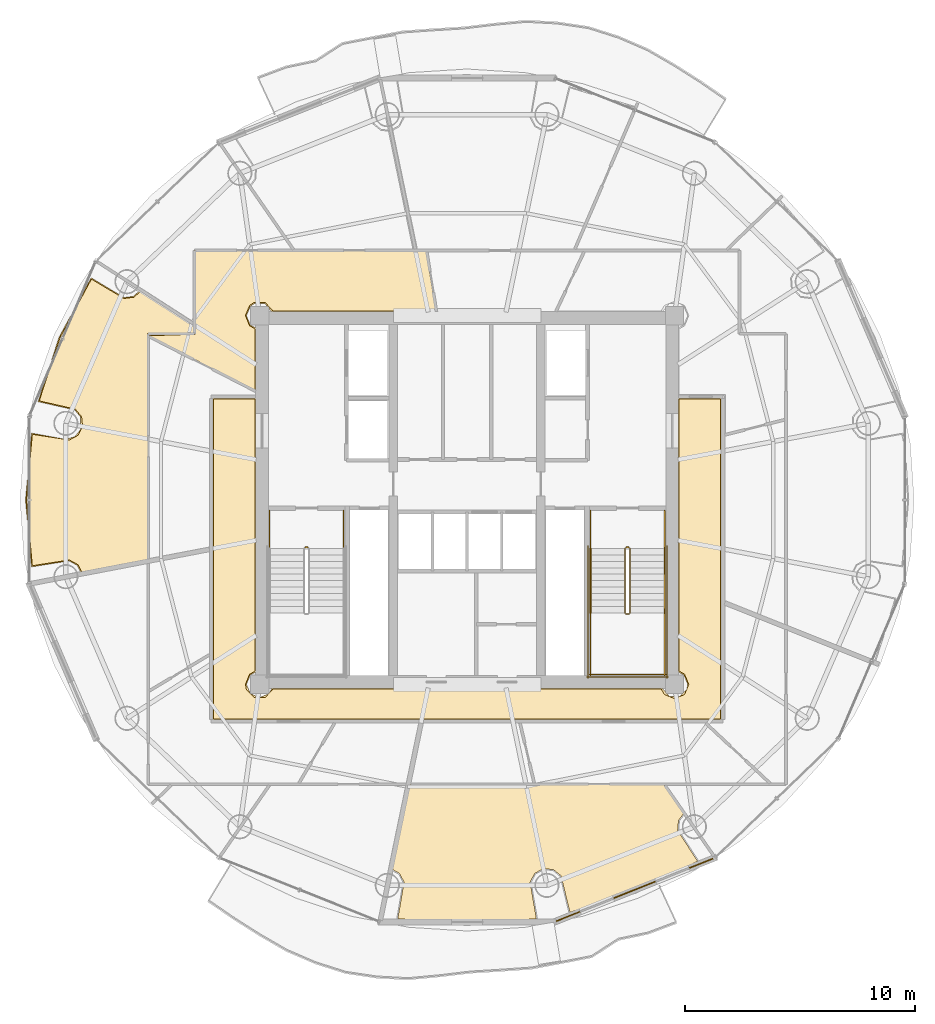
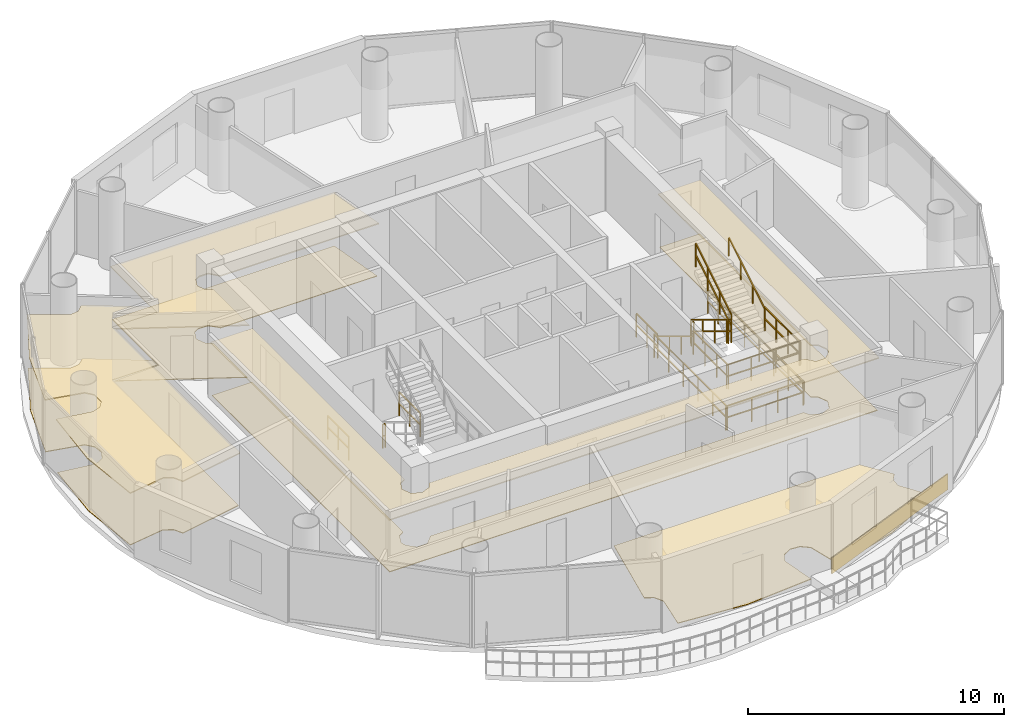
# One storey, part 22 of 23: 17 railings, 8 coverings.
"""IFC4 building model written with IfcOpenShell, lengths in metres."""

from ifc_helpers import new_model, si_unit, direction, frame, origin, origin_2d, place, context, subcontext, project, spatial, polyline, rectangle, outline, extrude, source, transform, mapped, material, layer, layer_set, type_object, element, save


model = new_model("IFC4")

# Units and contexts
model_context = context("Model", 3, precision=1e-05, world=origin(), true_north=direction((-0.2419218956, 0.970295726276)))
body_context = subcontext(model_context, "Body", "Model", "MODEL_VIEW")
ifc_project = project(units=[si_unit("LENGTHUNIT", "METRE"), si_unit("AREAUNIT", "SQUARE_METRE"), si_unit("VOLUMEUNIT", "CUBIC_METRE"), si_unit("PLANEANGLEUNIT", "RADIAN"), si_unit("MASSUNIT", "GRAM", prefix="KILO")], contexts=[model_context])

# Site, building, storey
site_placement = place(None, origin())
site = spatial("IfcSite", under=ifc_project, at=site_placement, CompositionType="ELEMENT")
building_placement = place(site_placement, origin())
building = spatial("IfcBuilding", under=site, at=building_placement, Name="Cobrevalo Terracotta Tower", CompositionType="ELEMENT")
storey_placement = place(building_placement, frame((0.0, 0.0, 248.199951171875)))
storey = spatial("IfcBuildingStorey", under=building, at=storey_placement, Name="L65", CompositionType="ELEMENT", Elevation=248.199951171875)

# Coverings
ifc_material_1 = material(Name="Engineered Brazilian hardwood flooring", Category="wood")
ifc_layer_1 = layer(ifc_material_1, 0.028076171875)
ifc_layer_set_1 = layer_set([ifc_layer_1], Name="Engineered Brazilian hardwood flooring")
covering_type_1 = type_object("IfcCoveringType", Name="Engineered Hardwood Suite Flooring 28", PredefinedType="FLOORING", material=ifc_layer_set_1)
covering_1_placement = place(storey_placement, origin())
element("IfcCovering", 1, at=covering_1_placement, inside=storey, type_object=covering_type_1, Name="Flat L65A Private Cinema Room floor finish", PredefinedType="FLOORING", context=body_context, shape_type="SweptSolid", body=[
    extrude(outline(polyline([(21.3154296875, 23.621337890625), (21.118408203125, 23.9931640625), (20.740966796875, 24.198486328125), (19.1357421875, 23.948974609375), (18.880126953125, 26.800048828125), (19.1357421875, 29.65087890625), (20.740966796875, 29.401611328125), (21.118408203125, 29.60693359375), (21.318115234375, 29.9873046875), (21.272705078125, 30.41455078125), (20.99755859375, 30.74462890625), (19.43505859375, 31.1005859375), (20.33544921875, 33.848876953125), (21.699951171875, 36.382568359375), (23.1103515625, 35.5439453125), (23.537109375, 35.593994140625), (23.864501953125, 35.88037109375), (26.155029296875, 34.4052734375), (26.155029296875, 34.030029296875), (24.14501953125, 34.030029296875), (24.14501953125, 24.163818359375), (21.3154296875, 23.621337890625)])), origin(), (0.0, 0.0, 1.0), 0.030029296875),
])
covering_2_placement = place(storey_placement, origin())
element("IfcCovering", 2, at=covering_2_placement, inside=storey, type_object=covering_type_1, Name="Flat L65A Private Library Meeting Room floor finish", PredefinedType="FLOORING", context=body_context, shape_type="SweptSolid", body=[
    extrude(outline(polyline([(28.804931640625, 31.551025390625), (24.18505859375, 33.927001953125), (26.195068359375, 33.989990234375), (26.195068359375, 37.60498046875), (36.222412109375, 37.60498046875), (36.64697265625, 34.9951171875), (29.58154296875, 34.9951171875), (29.2373046875, 35.373291015625), (28.7626953125, 35.373291015625), (28.561279296875, 35.23876953125), (28.379638671875, 34.800048828125), (28.561279296875, 34.361328125), (28.804931640625, 34.218505859375), (28.804931640625, 31.551025390625)])), origin(), (0.0, 0.0, 1.0), 0.030029296875),
])
covering_3_placement = place(storey_placement, origin())
element("IfcCovering", 3, at=covering_3_placement, inside=storey, type_object=covering_type_1, Name="Flat L65C Living and Dining Room floor finish", PredefinedType="FLOORING", context=body_context, shape_type="SweptSolid", body=[
    extrude(outline(polyline([(45.317138671875, 9.7822265625), (42.45947265625, 8.9140625), (42.074951171875, 10.49365234375), (41.74072265625, 10.763671875), (41.312744140625, 10.80224609375), (40.935546875, 10.596923828125), (40.73583984375, 10.21630859375), (41.005859375, 8.635498046875), (38.0, 8.380126953125), (34.994140625, 8.635498046875), (35.26416015625, 10.21630859375), (35.064453125, 10.596923828125), (34.71728515625, 10.79296875), (35.470947265625, 14.445068359375), (46.5400390625, 14.445068359375), (47.40283203125, 13.200439453125), (47.17236328125, 12.893798828125), (47.138427734375, 12.465576171875), (47.99853515625, 11.130126953125), (45.317138671875, 9.7822265625)])), origin(), (0.0, 0.0, 1.0), 0.030029296875),
])
ifc_material_2 = material(Name="Honed terracotta and granite tile", Category="masonry")
ifc_layer_2 = layer(ifc_material_2, 0.034912109375)
ifc_layer_set_2 = layer_set([ifc_layer_2], Name="Honed terracotta and granite tile")
covering_type_2 = type_object("IfcCoveringType", Name="Honed Terracotta & Granite Interior Flooring 35", PredefinedType="FLOORING", material=ifc_layer_set_2)
covering_4_placement = place(storey_placement, origin())
element("IfcCovering", 4, at=covering_4_placement, inside=storey, type_object=covering_type_2, Name="L65 Residential Floor Corridor floor finish", PredefinedType="FLOORING", context=body_context, shape_type="SweptSolid", body=[
    extrude(outline(polyline([(26.9951171875, 31.179931640625), (28.804931640625, 31.179931640625), (28.804931640625, 19.381591796875), (28.561279296875, 19.23876953125), (28.379638671875, 18.800048828125), (28.4267578125, 18.5625), (28.7626953125, 18.226806640625), (29.2373046875, 18.226806640625), (29.58154296875, 18.60498046875), (46.41845703125, 18.60498046875), (46.561279296875, 18.361328125), (47.0, 18.1796875), (47.438720703125, 18.361328125), (47.620361328125, 18.800048828125), (47.438720703125, 19.23876953125), (47.195068359375, 19.381591796875), (47.195068359375, 31.179931640625), (49.0048828125, 31.179931640625), (49.0048828125, 17.294921875), (26.9951171875, 17.294921875), (26.9951171875, 31.179931640625)])), origin(), (0.0, 0.0, 1.0), 0.030029296875),
])
ifc_material_3 = material(Name="Acoustic perforated gypsum ceiling", Category="gypsum")
ifc_layer_3 = layer(ifc_material_3, 0.050048828125)
ifc_layer_set_3 = layer_set([ifc_layer_3], Name="Acoustic perforated gypsum ceiling")
covering_type_3 = type_object("IfcCoveringType", Name="Perforated Acoustic Gypsum Ceiling 50", PredefinedType="CEILING", material=ifc_layer_set_3)
covering_5_placement = place(storey_placement, frame((0.0, 0.0, 2.5)))
element("IfcCovering", 5, at=covering_5_placement, inside=storey, type_object=covering_type_3, Name="L65 Residential Floor Corridor acoustic ceiling", PredefinedType="CEILING", context=body_context, shape_type="SweptSolid", body=[
    extrude(outline(polyline([(26.949951171875, 31.22509765625), (28.85009765625, 31.22509765625), (28.85009765625, 19.3447265625), (28.59375, 19.206298828125), (28.425537109375, 18.800048828125), (28.59375, 18.393798828125), (29.0, 18.2255859375), (29.40625, 18.393798828125), (29.544677734375, 18.64990234375), (46.455322265625, 18.64990234375), (46.780029296875, 18.269287109375), (47.219970703125, 18.269287109375), (47.53076171875, 18.580078125), (47.574462890625, 18.800048828125), (47.40625, 19.206298828125), (47.14990234375, 19.3447265625), (47.14990234375, 31.22509765625), (49.050048828125, 31.22509765625), (49.050048828125, 17.25), (26.949951171875, 17.25), (26.949951171875, 31.22509765625)])), origin(), (0.0, 0.0, 1.0), 0.050048828125),
])
covering_6_placement = place(storey_placement, frame((0.0, 0.0, 2.5)))
element("IfcCovering", 6, at=covering_6_placement, inside=storey, type_object=covering_type_3, Name="Flat L65A Private Cinema Room acoustic ceiling", PredefinedType="CEILING", context=body_context, shape_type="SweptSolid", body=[
    extrude(outline(polyline([(21.283935546875, 23.569580078125), (21.086181640625, 23.96142578125), (20.731689453125, 24.154296875), (19.100830078125, 23.896484375), (18.8349609375, 26.800048828125), (19.100830078125, 29.703369140625), (20.59619140625, 29.431396484375), (20.9814453125, 29.551513671875), (21.235107421875, 29.865234375), (21.23095703125, 30.39697265625), (20.97265625, 30.70703125), (19.3818359375, 31.06494140625), (20.2939453125, 33.86669921875), (21.687744140625, 36.44384765625), (23.118408203125, 35.588623046875), (23.51904296875, 35.635498046875), (23.853271484375, 35.941162109375), (26.199951171875, 34.4296875), (26.199951171875, 33.985107421875), (24.18994140625, 33.985107421875), (24.18994140625, 24.126708984375), (21.283935546875, 23.569580078125)])), origin(), (0.0, 0.0, 1.0), 0.050048828125),
])
covering_7_placement = place(storey_placement, frame((0.0, 0.0, 2.5)))
element("IfcCovering", 7, at=covering_7_placement, inside=storey, type_object=covering_type_3, Name="Flat L65A Private Library Meeting Room acoustic ceiling", PredefinedType="CEILING", context=body_context, shape_type="SweptSolid", body=[
    extrude(outline(polyline([(28.85009765625, 31.477294921875), (24.139892578125, 33.8994140625), (24.139892578125, 34.034912109375), (26.14990234375, 34.034912109375), (26.14990234375, 37.64990234375), (36.2607421875, 37.64990234375), (36.69970703125, 34.949951171875), (29.544677734375, 34.949951171875), (29.219970703125, 35.330810546875), (28.780029296875, 35.330810546875), (28.59375, 35.206298828125), (28.425537109375, 34.800048828125), (28.59375, 34.393798828125), (28.85009765625, 34.25537109375), (28.85009765625, 31.477294921875)])), origin(), (0.0, 0.0, 1.0), 0.050048828125),
])

# Railings
ifc_material_4 = material(Name="Brushed stainless steel", Category="steel")
railing_type_1 = type_object("IfcRailingType", Name="Stainless Steel Stair Handrail 900", PredefinedType="HANDRAIL", material=ifc_material_4)
railing_1_placement = place(storey_placement, frame((43.35498046875, 24.699951171875, 0.17041015625)))
element("IfcRailing", 8, at=railing_1_placement, inside=storey, type_object=railing_type_1, Name="L65 ST-2 stair handrail 1", PredefinedType="HANDRAIL", context=body_context, shape_type="SweptSolid", body=[
    extrude(rectangle(XDim=0.048095703125, YDim=0.048095703125, at=origin_2d()), frame((0.0, 0.0, 0.8759765625), z_axis=(0.0, -0.854169791009, 0.51999420009), x_axis=(1.0, 0.0, 0.0)), (0.0, 0.0, 1.0), 3.278076171875),
    extrude(rectangle(XDim=0.0419921875, YDim=0.0419921875, at=origin_2d()), origin(), (0.0, 0.0, 1.0), 0.851806640625),
    extrude(rectangle(XDim=0.0419921875, YDim=0.0419921875, at=origin_2d()), frame((0.0, -0.933349609375, 0.568115234375)), (0.0, 0.0, 1.0), 0.851806640625),
    extrude(rectangle(XDim=0.0419921875, YDim=0.0419921875, at=origin_2d()), frame((0.0, -1.86669921875, 1.136474609375)), (0.0, 0.0, 1.0), 0.851806640625),
    extrude(rectangle(XDim=0.0419921875, YDim=0.0419921875, at=origin_2d()), frame((0.0, -2.800048828125, 1.70458984375)), (0.0, 0.0, 1.0), 0.851806640625),
])
railing_2_placement = place(storey_placement, frame((46.574951171875, 21.89990234375, 2.04541015625)))
element("IfcRailing", 9, at=railing_2_placement, inside=storey, type_object=railing_type_1, Name="L65 ST-2 stair handrail 2", PredefinedType="HANDRAIL", context=body_context, shape_type="SweptSolid", body=[
    extrude(rectangle(XDim=0.048095703125, YDim=0.048095703125, at=origin_2d()), frame((0.0, 0.0, 0.8759765625), z_axis=(0.0, 0.854169791009, 0.51999420009), x_axis=(-1.0, 0.0, 0.0)), (0.0, 0.0, 1.0), 3.278076171875),
    extrude(rectangle(XDim=0.0419921875, YDim=0.0419921875, at=origin_2d()), origin(), (0.0, 0.0, 1.0), 0.851806640625),
    extrude(rectangle(XDim=0.0419921875, YDim=0.0419921875, at=origin_2d()), frame((0.0, 0.933349609375, 0.568115234375)), (0.0, 0.0, 1.0), 0.851806640625),
    extrude(rectangle(XDim=0.0419921875, YDim=0.0419921875, at=origin_2d()), frame((0.0, 1.86669921875, 1.136474609375)), (0.0, 0.0, 1.0), 0.851806640625),
    extrude(rectangle(XDim=0.0419921875, YDim=0.0419921875, at=origin_2d()), frame((0.0, 2.800048828125, 1.70458984375)), (0.0, 0.0, 1.0), 0.851806640625),
])
ifc_material_5 = material(Name="Painted galvanized steel", Category="steel")
railing_type_2 = type_object("IfcRailingType", Name="Stair Well Guard Balustrade 1150", PredefinedType="GUARDRAIL", material=ifc_material_5)
railing_3_placement = place(storey_placement, frame((30.97509765625, 24.75, 0.0)))
element("IfcRailing", 10, at=railing_3_placement, inside=storey, type_object=railing_type_2, Name="L65 ST-1 stair guard 7", PredefinedType="GUARDRAIL", context=body_context, shape_type="SweptSolid", body=[
    extrude(rectangle(XDim=0.048095703125, YDim=0.048095703125, at=origin_2d()), frame((0.0, 0.0, 1.1259765625), z_axis=(1.0, 0.0, 0.0), x_axis=(0.0, 1.0, 0.0)), (0.0, 0.0, 1.0), 0.119873046875),
    extrude(rectangle(XDim=0.048095703125, YDim=0.048095703125, at=origin_2d()), frame((0.0, 0.0, 0.574951171875), z_axis=(1.0, 0.0, 0.0), x_axis=(0.0, 1.0, 0.0)), (0.0, 0.0, 1.0), 0.119873046875),
    extrude(rectangle(XDim=0.0419921875, YDim=0.0419921875, at=origin_2d()), origin(), (0.0, 0.0, 1.0), 1.101806640625),
    extrude(rectangle(XDim=0.0419921875, YDim=0.0419921875, at=origin_2d()), frame((0.119873046875, 0.0, 0.0)), (0.0, 0.0, 1.0), 1.101806640625),
])
for number, where, name in (
    (11, (29.425048828125, 26.35009765625, 0.0), "L65 ST-1 stair guard 8"),
    (12, (32.64501953125, 26.35009765625, 0.0), "L65 ST-1 stair guard 9"),
):
    element("IfcRailing", number, at=place(storey_placement, frame(where)), inside=storey, type_object=railing_type_2, Name=name, PredefinedType="GUARDRAIL", context=body_context, shape_type="SweptSolid", body=[
        extrude(rectangle(XDim=0.048095703125, YDim=0.048095703125, at=origin_2d()), frame((0.0, 0.0, 1.1259765625), z_axis=(0.0, -1.0, 0.0), x_axis=(1.0, 0.0, 0.0)), (0.0, 0.0, 1.0), 1.650146484375),
        extrude(rectangle(XDim=0.048095703125, YDim=0.048095703125, at=origin_2d()), frame((0.0, 0.0, 0.574951171875), z_axis=(0.0, -1.0, 0.0), x_axis=(1.0, 0.0, 0.0)), (0.0, 0.0, 1.0), 1.650146484375),
        extrude(rectangle(XDim=0.0419921875, YDim=0.0419921875, at=origin_2d()), origin(), (0.0, 0.0, 1.0), 1.101806640625),
        extrude(rectangle(XDim=0.0419921875, YDim=0.0419921875, at=origin_2d()), frame((0.0, -0.8251953125, 0.0)), (0.0, 0.0, 1.0), 1.101806640625),
        extrude(rectangle(XDim=0.0419921875, YDim=0.0419921875, at=origin_2d()), frame((0.0, -1.650146484375, 0.0)), (0.0, 0.0, 1.0), 1.101806640625),
    ])
railing_4_placement = place(storey_placement, frame((44.85498046875, 24.699951171875, 0.17041015625)))
element("IfcRailing", 13, at=railing_4_placement, inside=storey, type_object=railing_type_2, Name="L65 ST-2 stair guard 1", PredefinedType="GUARDRAIL", context=body_context, shape_type="SweptSolid", body=[
    extrude(rectangle(XDim=0.048095703125, YDim=0.048095703125, at=origin_2d()), frame((0.0, 0.0, 1.1259765625), z_axis=(0.0, -0.854169791009, 0.51999420009), x_axis=(1.0, 0.0, 0.0)), (0.0, 0.0, 1.0), 3.278076171875),
    extrude(rectangle(XDim=0.048095703125, YDim=0.048095703125, at=origin_2d()), frame((0.0, 0.0, 0.574951171875), z_axis=(0.0, -0.854169791009, 0.51999420009), x_axis=(1.0, 0.0, 0.0)), (0.0, 0.0, 1.0), 3.278076171875),
    extrude(rectangle(XDim=0.0419921875, YDim=0.0419921875, at=origin_2d()), origin(), (0.0, 0.0, 1.0), 1.101806640625),
    extrude(rectangle(XDim=0.0419921875, YDim=0.0419921875, at=origin_2d()), frame((0.0, -0.933349609375, 0.568115234375)), (0.0, 0.0, 1.0), 1.101806640625),
    extrude(rectangle(XDim=0.0419921875, YDim=0.0419921875, at=origin_2d()), frame((0.0, -1.86669921875, 1.136474609375)), (0.0, 0.0, 1.0), 1.101806640625),
    extrude(rectangle(XDim=0.0419921875, YDim=0.0419921875, at=origin_2d()), frame((0.0, -2.800048828125, 1.70458984375)), (0.0, 0.0, 1.0), 1.101806640625),
])
railing_5_placement = place(storey_placement, frame((44.905029296875, 21.85009765625, 1.875)))
element("IfcRailing", 14, at=railing_5_placement, inside=storey, type_object=railing_type_2, Name="L65 ST-2 stair guard 2", PredefinedType="GUARDRAIL", context=body_context, shape_type="SweptSolid", body=[
    extrude(rectangle(XDim=0.048095703125, YDim=0.048095703125, at=origin_2d()), frame((0.0, 0.0, 1.1259765625), z_axis=(1.0, 0.0, 0.0), x_axis=(0.0, 1.0, 0.0)), (0.0, 0.0, 1.0), 0.119873046875),
    extrude(rectangle(XDim=0.048095703125, YDim=0.048095703125, at=origin_2d()), frame((0.0, 0.0, 0.574951171875), z_axis=(1.0, 0.0, 0.0), x_axis=(0.0, 1.0, 0.0)), (0.0, 0.0, 1.0), 0.119873046875),
    extrude(rectangle(XDim=0.0419921875, YDim=0.0419921875, at=origin_2d()), origin(), (0.0, 0.0, 1.0), 1.101806640625),
    extrude(rectangle(XDim=0.0419921875, YDim=0.0419921875, at=origin_2d()), frame((0.119873046875, 0.0, 0.0)), (0.0, 0.0, 1.0), 1.101806640625),
])
for number, where, name in (
    (15, (43.35498046875, 21.89990234375, 1.875), "L65 ST-2 stair guard 3"),
    (16, (46.574951171875, 21.89990234375, 1.875), "L65 ST-2 stair guard 4"),
):
    element("IfcRailing", number, at=place(storey_placement, frame(where)), inside=storey, type_object=railing_type_2, Name=name, PredefinedType="GUARDRAIL", context=body_context, shape_type="SweptSolid", body=[
        extrude(rectangle(XDim=0.048095703125, YDim=0.048095703125, at=origin_2d()), frame((0.0, 0.0, 1.1259765625), z_axis=(0.0, -1.0, 0.0), x_axis=(1.0, 0.0, 0.0)), (0.0, 0.0, 1.0), 2.724853515625),
        extrude(rectangle(XDim=0.048095703125, YDim=0.048095703125, at=origin_2d()), frame((0.0, 0.0, 0.574951171875), z_axis=(0.0, -1.0, 0.0), x_axis=(1.0, 0.0, 0.0)), (0.0, 0.0, 1.0), 2.724853515625),
        extrude(rectangle(XDim=0.0419921875, YDim=0.0419921875, at=origin_2d()), origin(), (0.0, 0.0, 1.0), 1.101806640625),
        extrude(rectangle(XDim=0.0419921875, YDim=0.0419921875, at=origin_2d()), frame((0.0, -0.908203125, 0.0)), (0.0, 0.0, 1.0), 1.101806640625),
        extrude(rectangle(XDim=0.0419921875, YDim=0.0419921875, at=origin_2d()), frame((0.0, -1.816650390625, 0.0)), (0.0, 0.0, 1.0), 1.101806640625),
        extrude(rectangle(XDim=0.0419921875, YDim=0.0419921875, at=origin_2d()), frame((0.0, -2.724853515625, 0.0)), (0.0, 0.0, 1.0), 1.101806640625),
    ])
railing_6_placement = place(storey_placement, frame((43.304931640625, 19.22509765625, 1.875)))
element("IfcRailing", 17, at=railing_6_placement, inside=storey, type_object=railing_type_2, Name="L65 ST-2 stair guard 5", PredefinedType="GUARDRAIL", context=body_context, shape_type="SweptSolid", body=[
    extrude(rectangle(XDim=0.048095703125, YDim=0.048095703125, at=origin_2d()), frame((0.0, 0.0, 1.1259765625), z_axis=(1.0, 0.0, 0.0), x_axis=(0.0, 1.0, 0.0)), (0.0, 0.0, 1.0), 3.320068359375),
    extrude(rectangle(XDim=0.048095703125, YDim=0.048095703125, at=origin_2d()), frame((0.0, 0.0, 0.574951171875), z_axis=(1.0, 0.0, 0.0), x_axis=(0.0, 1.0, 0.0)), (0.0, 0.0, 1.0), 3.320068359375),
    extrude(rectangle(XDim=0.0419921875, YDim=0.0419921875, at=origin_2d()), origin(), (0.0, 0.0, 1.0), 1.101806640625),
    extrude(rectangle(XDim=0.0419921875, YDim=0.0419921875, at=origin_2d()), frame((1.106689453125, 0.0, 0.0)), (0.0, 0.0, 1.0), 1.101806640625),
    extrude(rectangle(XDim=0.0419921875, YDim=0.0419921875, at=origin_2d()), frame((2.21337890625, 0.0, 0.0)), (0.0, 0.0, 1.0), 1.101806640625),
    extrude(rectangle(XDim=0.0419921875, YDim=0.0419921875, at=origin_2d()), frame((3.320068359375, 0.0, 0.0)), (0.0, 0.0, 1.0), 1.101806640625),
])
railing_7_placement = place(storey_placement, frame((45.074951171875, 21.89990234375, 2.04541015625)))
element("IfcRailing", 18, at=railing_7_placement, inside=storey, type_object=railing_type_2, Name="L65 ST-2 stair guard 6", PredefinedType="GUARDRAIL", context=body_context, shape_type="SweptSolid", body=[
    extrude(rectangle(XDim=0.048095703125, YDim=0.048095703125, at=origin_2d()), frame((0.0, 0.0, 1.1259765625), z_axis=(0.0, 0.854169791009, 0.51999420009), x_axis=(-1.0, 0.0, 0.0)), (0.0, 0.0, 1.0), 3.278076171875),
    extrude(rectangle(XDim=0.048095703125, YDim=0.048095703125, at=origin_2d()), frame((0.0, 0.0, 0.574951171875), z_axis=(0.0, 0.854169791009, 0.51999420009), x_axis=(-1.0, 0.0, 0.0)), (0.0, 0.0, 1.0), 3.278076171875),
    extrude(rectangle(XDim=0.0419921875, YDim=0.0419921875, at=origin_2d()), origin(), (0.0, 0.0, 1.0), 1.101806640625),
    extrude(rectangle(XDim=0.0419921875, YDim=0.0419921875, at=origin_2d()), frame((0.0, 0.933349609375, 0.568115234375)), (0.0, 0.0, 1.0), 1.101806640625),
    extrude(rectangle(XDim=0.0419921875, YDim=0.0419921875, at=origin_2d()), frame((0.0, 1.86669921875, 1.136474609375)), (0.0, 0.0, 1.0), 1.101806640625),
    extrude(rectangle(XDim=0.0419921875, YDim=0.0419921875, at=origin_2d()), frame((0.0, 2.800048828125, 1.70458984375)), (0.0, 0.0, 1.0), 1.101806640625),
])
railing_8_placement = place(storey_placement, frame((44.905029296875, 24.75, 0.0)))
element("IfcRailing", 19, at=railing_8_placement, inside=storey, type_object=railing_type_2, Name="L65 ST-2 stair guard 7", PredefinedType="GUARDRAIL", context=body_context, shape_type="SweptSolid", body=[
    extrude(rectangle(XDim=0.048095703125, YDim=0.048095703125, at=origin_2d()), frame((0.0, 0.0, 1.1259765625), z_axis=(1.0, 0.0, 0.0), x_axis=(0.0, 1.0, 0.0)), (0.0, 0.0, 1.0), 0.119873046875),
    extrude(rectangle(XDim=0.048095703125, YDim=0.048095703125, at=origin_2d()), frame((0.0, 0.0, 0.574951171875), z_axis=(1.0, 0.0, 0.0), x_axis=(0.0, 1.0, 0.0)), (0.0, 0.0, 1.0), 0.119873046875),
    extrude(rectangle(XDim=0.0419921875, YDim=0.0419921875, at=origin_2d()), origin(), (0.0, 0.0, 1.0), 1.101806640625),
    extrude(rectangle(XDim=0.0419921875, YDim=0.0419921875, at=origin_2d()), frame((0.119873046875, 0.0, 0.0)), (0.0, 0.0, 1.0), 1.101806640625),
])
for number, where, name in (
    (20, (43.35498046875, 26.35009765625, 0.0), "L65 ST-2 stair guard 8"),
    (21, (46.574951171875, 26.35009765625, 0.0), "L65 ST-2 stair guard 9"),
):
    element("IfcRailing", number, at=place(storey_placement, frame(where)), inside=storey, type_object=railing_type_2, Name=name, PredefinedType="GUARDRAIL", context=body_context, shape_type="SweptSolid", body=[
        extrude(rectangle(XDim=0.048095703125, YDim=0.048095703125, at=origin_2d()), frame((0.0, 0.0, 1.1259765625), z_axis=(0.0, -1.0, 0.0), x_axis=(1.0, 0.0, 0.0)), (0.0, 0.0, 1.0), 1.650146484375),
        extrude(rectangle(XDim=0.048095703125, YDim=0.048095703125, at=origin_2d()), frame((0.0, 0.0, 0.574951171875), z_axis=(0.0, -1.0, 0.0), x_axis=(1.0, 0.0, 0.0)), (0.0, 0.0, 1.0), 1.650146484375),
        extrude(rectangle(XDim=0.0419921875, YDim=0.0419921875, at=origin_2d()), origin(), (0.0, 0.0, 1.0), 1.101806640625),
        extrude(rectangle(XDim=0.0419921875, YDim=0.0419921875, at=origin_2d()), frame((0.0, -0.8251953125, 0.0)), (0.0, 0.0, 1.0), 1.101806640625),
        extrude(rectangle(XDim=0.0419921875, YDim=0.0419921875, at=origin_2d()), frame((0.0, -1.650146484375, 0.0)), (0.0, 0.0, 1.0), 1.101806640625),
    ])
for number, where, name in (
    (22, (43.2548828125, 24.800048828125, 0.0), "L65 ST-2 stair guard 10"),
    (23, (46.675048828125, 24.800048828125, 0.0), "L65 ST-2 stair guard 11"),
):
    element("IfcRailing", number, at=place(storey_placement, frame(where)), inside=storey, type_object=railing_type_2, Name=name, PredefinedType="GUARDRAIL", context=body_context, shape_type="SweptSolid", body=[
        extrude(rectangle(XDim=0.048095703125, YDim=0.048095703125, at=origin_2d()), frame((0.0, 0.0, 1.1259765625), z_axis=(0.0, -1.0, 0.0), x_axis=(1.0, 0.0, 0.0)), (0.0, 0.0, 1.0), 5.72509765625),
        extrude(rectangle(XDim=0.048095703125, YDim=0.048095703125, at=origin_2d()), frame((0.0, 0.0, 0.574951171875), z_axis=(0.0, -1.0, 0.0), x_axis=(1.0, 0.0, 0.0)), (0.0, 0.0, 1.0), 5.72509765625),
        extrude(rectangle(XDim=0.0419921875, YDim=0.0419921875, at=origin_2d()), origin(), (0.0, 0.0, 1.0), 1.101806640625),
        extrude(rectangle(XDim=0.0419921875, YDim=0.0419921875, at=origin_2d()), frame((0.0, -1.14501953125, 0.0)), (0.0, 0.0, 1.0), 1.101806640625),
        extrude(rectangle(XDim=0.0419921875, YDim=0.0419921875, at=origin_2d()), frame((0.0, -2.2900390625, 0.0)), (0.0, 0.0, 1.0), 1.101806640625),
        extrude(rectangle(XDim=0.0419921875, YDim=0.0419921875, at=origin_2d()), frame((0.0, -3.43505859375, 0.0)), (0.0, 0.0, 1.0), 1.101806640625),
        extrude(rectangle(XDim=0.0419921875, YDim=0.0419921875, at=origin_2d()), frame((0.0, -4.580078125, 0.0)), (0.0, 0.0, 1.0), 1.101806640625),
        extrude(rectangle(XDim=0.0419921875, YDim=0.0419921875, at=origin_2d()), frame((0.0, -5.72509765625, 0.0)), (0.0, 0.0, 1.0), 1.101806640625),
    ])
railing_9_placement = place(storey_placement, frame((43.205078125, 19.125, 0.0)))
element("IfcRailing", 24, at=railing_9_placement, inside=storey, type_object=railing_type_2, Name="L65 ST-2 stair guard 12", PredefinedType="GUARDRAIL", context=body_context, shape_type="SweptSolid", body=[
    extrude(rectangle(XDim=0.048095703125, YDim=0.048095703125, at=origin_2d()), frame((0.0, 0.0, 1.1259765625), z_axis=(1.0, 0.0, 0.0), x_axis=(0.0, 1.0, 0.0)), (0.0, 0.0, 1.0), 3.52001953125),
    extrude(rectangle(XDim=0.048095703125, YDim=0.048095703125, at=origin_2d()), frame((0.0, 0.0, 0.574951171875), z_axis=(1.0, 0.0, 0.0), x_axis=(0.0, 1.0, 0.0)), (0.0, 0.0, 1.0), 3.52001953125),
    extrude(rectangle(XDim=0.0419921875, YDim=0.0419921875, at=origin_2d()), origin(), (0.0, 0.0, 1.0), 1.101806640625),
    extrude(rectangle(XDim=0.0419921875, YDim=0.0419921875, at=origin_2d()), frame((1.17333984375, 0.0, 0.0)), (0.0, 0.0, 1.0), 1.101806640625),
    extrude(rectangle(XDim=0.0419921875, YDim=0.0419921875, at=origin_2d()), frame((2.3466796875, 0.0, 0.0)), (0.0, 0.0, 1.0), 1.101806640625),
    extrude(rectangle(XDim=0.0419921875, YDim=0.0419921875, at=origin_2d()), frame((3.52001953125, 0.0, 0.0)), (0.0, 0.0, 1.0), 1.101806640625),
])

# Covering
ifc_material_6 = material(Name="Glazed terracotta facade cladding tile", Category="masonry")
ifc_layer_4 = layer(ifc_material_6, 0.044921875)
ifc_layer_set_4 = layer_set([ifc_layer_4], Name="Glazed terracotta facade cladding tile")
covering_type_4 = type_object("IfcCoveringType", Name="Architectural terracotta rainscreen spandrel cladding 45 mm", PredefinedType="CLADDING", material=ifc_layer_set_4)
shared_shape = source(origin(), body_context, "Body", "SweptSolid", [
    extrude(rectangle(XDim=7.318359375, YDim=0.044921875, at=origin_2d()), origin(), (0.0, 0.0, 1.0), 0.760009765625),
])
covering_8_placement = place(storey_placement, frame((45.270263671875, 9.882568359375, 0.0400390625), z_axis=(0.0, 0.0, 1.0), x_axis=(0.92871833374, 0.370785998353, 0.0)))
element("IfcCovering", 25, at=covering_8_placement, inside=storey, type_object=covering_type_4, Name="L65 terracotta spandrel cladding S13", PredefinedType="CLADDING", context=body_context, shape_type="MappedRepresentation", body=[
    mapped(shared_shape, transform((0.0, 0.0, 0.0), scale=1.0)),
])

save(model, "model.ifc")
